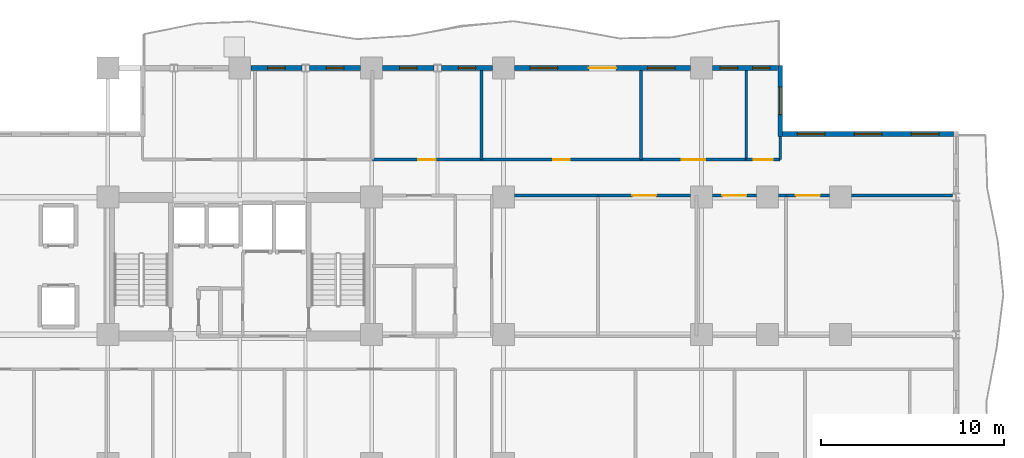
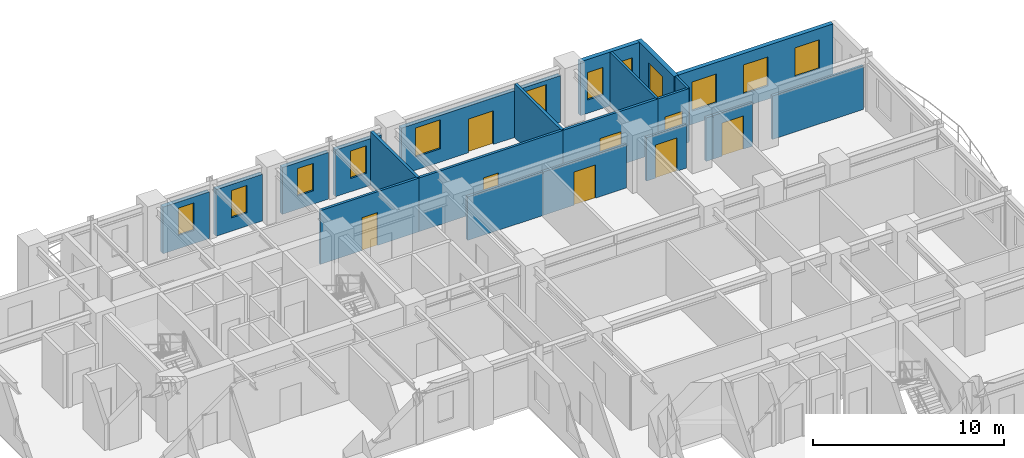
# One storey, part 7 of 11: 22 walls, 12 windows, 8 doors, 20 openings.
"""IFC4 building model written with IfcOpenShell, lengths in metres."""

from ifc_helpers import new_model, si_unit, direction, frame, frame_2d, origin, place, context, subcontext, project, spatial, rectangle, extrude, material, layer, layer_set, type_object, element, fill, save


model = new_model("IFC4")

# Units and contexts
model_context = context("Model", 3, precision=1e-05, world=origin(), true_north=direction((0.0, 1.0)))
body_context = subcontext(model_context, "Body", "Model", "MODEL_VIEW")
ifc_project = project(units=[si_unit("LENGTHUNIT", "METRE"), si_unit("AREAUNIT", "SQUARE_METRE"), si_unit("VOLUMEUNIT", "CUBIC_METRE"), si_unit("PLANEANGLEUNIT", "RADIAN"), si_unit("MASSUNIT", "GRAM", prefix="KILO")], contexts=[model_context])

# Site, building, storey
site_placement = place(None, origin())
site = spatial("IfcSite", under=ifc_project, at=site_placement, CompositionType="ELEMENT")
building_placement = place(site_placement, origin())
building = spatial("IfcBuilding", under=site, at=building_placement, Name="Kaliganga Portal Commons", CompositionType="ELEMENT")
storey_placement = place(building_placement, frame((0.0, 0.0, 115.60009765625)))
storey = spatial("IfcBuildingStorey", under=building, at=storey_placement, Name="L29", CompositionType="ELEMENT", Elevation=115.60009765625)

# Wall, openings, windows
ifc_material_1 = material(Name="Insulated Aluminium-Clad Spandrel Assembly", Category="aluminium")
ifc_layer_1 = layer(ifc_material_1, 0.260009765625)
ifc_layer_set_1 = layer_set([ifc_layer_1], Name="Insulated Aluminium-Clad Spandrel Assembly")
wall_type_1 = type_object("IfcWallType", Name="WL-EXT-SPAND-260", PredefinedType="STANDARD", material=ifc_layer_set_1)
wall_1_placement = place(storey_placement, frame((51.235107421875, 39.60009765625, 0.0), z_axis=(0.0, 0.0, 1.0), x_axis=(1.0, 0.0, 0.0)))
wall_1 = element("IfcWall", 1, at=wall_1_placement, inside=storey, type_object=wall_type_1, Name="Exterior Envelope Wall L29 P1-E04-S1", PredefinedType="STANDARD", context=body_context, shape_type="SweptSolid", body=[
    extrude(rectangle(XDim=9.329833984375, YDim=0.260009765625, at=frame_2d((4.6650390625, 0.0))), origin(), (0.0, 0.0, 1.0), 3.429931640625),
])
opening_1_placement = place(wall_1_placement, frame((0.804931640625, 0.0, 0.85009765625)))
opening_1 = element("IfcOpeningElement", 2, at=opening_1_placement, cuts=wall_1, Name="Opening W-02", PredefinedType="OPENING", context=body_context, shape_type="SweptSolid", body=[
    extrude(rectangle(XDim=1.5, YDim=1.85009765625, at=frame_2d((0.75, 0.925048828125))), frame((0.0, 0.14013671875, 0.0), z_axis=(0.0, -1.0, 0.0), x_axis=(1.0, 0.0, 0.0)), (0.0, 0.0, 1.0), 0.280029296875),
])
opening_2_placement = place(wall_1_placement, frame((3.9150390625, 0.0, 0.85009765625)))
opening_2 = element("IfcOpeningElement", 3, at=opening_2_placement, cuts=wall_1, Name="Opening W-02", PredefinedType="OPENING", context=body_context, shape_type="SweptSolid", body=[
    extrude(rectangle(XDim=1.5, YDim=1.85009765625, at=frame_2d((0.75, 0.925048828125))), frame((0.0, 0.14013671875, 0.0), z_axis=(0.0, -1.0, 0.0), x_axis=(1.0, 0.0, 0.0)), (0.0, 0.0, 1.0), 0.280029296875),
])
opening_3_placement = place(wall_1_placement, frame((7.02490234375, 0.0, 0.85009765625)))
opening_3 = element("IfcOpeningElement", 4, at=opening_3_placement, cuts=wall_1, Name="Opening W-02", PredefinedType="OPENING", context=body_context, shape_type="SweptSolid", body=[
    extrude(rectangle(XDim=1.5, YDim=1.85009765625, at=frame_2d((0.75, 0.925048828125))), frame((0.0, 0.14013671875, 0.0), z_axis=(0.0, -1.0, 0.0), x_axis=(1.0, 0.0, 0.0)), (0.0, 0.0, 1.0), 0.280029296875),
])
ifc_material_2 = material(Name="Thermally Broken Aluminium and Low-E Double Glazing", Category="aluminium")
window_type_1 = type_object("IfcWindowType", Name="WIN-STD-1500", PartitioningType="DOUBLE_PANEL_VERTICAL", PredefinedType="WINDOW", material=ifc_material_2)
window_1_placement = place(opening_1_placement, origin())
window_1 = element("IfcWindow", 5, at=window_1_placement, inside=storey, type_object=window_type_1, Name="Facade Window L29-P1E04S1-00", OverallHeight=1.85009765625, OverallWidth=1.5, PartitioningType="SINGLE_PANEL", PredefinedType="WINDOW", context=body_context, shape_type="SweptSolid", body=[
    extrude(rectangle(XDim=1.5, YDim=1.85009765625, at=frame_2d((0.75, 0.925048828125))), frame((0.0, 0.030029296875, 0.0), z_axis=(0.0, -1.0, 0.0), x_axis=(1.0, 0.0, 0.0)), (0.0, 0.0, 1.0), 0.06005859375),
])
fill(opening_1, window_1)
window_2_placement = place(opening_2_placement, origin())
window_2 = element("IfcWindow", 6, at=window_2_placement, inside=storey, type_object=window_type_1, Name="Facade Window L29-P1E04S1-01", OverallHeight=1.85009765625, OverallWidth=1.5, PartitioningType="SINGLE_PANEL", PredefinedType="WINDOW", context=body_context, shape_type="SweptSolid", body=[
    extrude(rectangle(XDim=1.5, YDim=1.85009765625, at=frame_2d((0.75, 0.925048828125))), frame((0.0, 0.030029296875, 0.0), z_axis=(0.0, -1.0, 0.0), x_axis=(1.0, 0.0, 0.0)), (0.0, 0.0, 1.0), 0.06005859375),
])
fill(opening_2, window_2)
window_3_placement = place(opening_3_placement, origin())
window_3 = element("IfcWindow", 7, at=window_3_placement, inside=storey, type_object=window_type_1, Name="Facade Window L29-P1E04S1-02", OverallHeight=1.85009765625, OverallWidth=1.5, PartitioningType="SINGLE_PANEL", PredefinedType="WINDOW", context=body_context, shape_type="SweptSolid", body=[
    extrude(rectangle(XDim=1.5, YDim=1.85009765625, at=frame_2d((0.75, 0.925048828125))), frame((0.0, 0.030029296875, 0.0), z_axis=(0.0, -1.0, 0.0), x_axis=(1.0, 0.0, 0.0)), (0.0, 0.0, 1.0), 0.06005859375),
])
fill(opening_3, window_3)

# Wall, opening, window
wall_2_placement = place(storey_placement, frame((51.10009765625, 43.330078125, 0.0), z_axis=(0.0, 0.0, 1.0), x_axis=(0.0, -1.0, 0.0)))
wall_2 = element("IfcWall", 8, at=wall_2_placement, inside=storey, type_object=wall_type_1, Name="Exterior Envelope Wall L29 P1-E05-S1", PredefinedType="STANDARD", context=body_context, shape_type="SweptSolid", body=[
    extrude(rectangle(XDim=3.860107421875, YDim=0.260009765625, at=frame_2d((1.93017578125, 0.0))), origin(), (0.0, 0.0, 1.0), 3.429931640625),
])
opening_4_placement = place(wall_2_placement, frame((1.179931640625, 0.0, 0.85009765625)))
opening_4 = element("IfcOpeningElement", 9, at=opening_4_placement, cuts=wall_2, Name="Opening W-02", PredefinedType="OPENING", context=body_context, shape_type="SweptSolid", body=[
    extrude(rectangle(XDim=1.5, YDim=1.85009765625, at=frame_2d((0.75, 0.925048828125))), frame((0.0, 0.14013671875, 0.0), z_axis=(0.0, -1.0, 0.0), x_axis=(1.0, 0.0, 0.0)), (0.0, 0.0, 1.0), 0.280029296875),
])
window_4_placement = place(opening_4_placement, origin())
window_4 = element("IfcWindow", 10, at=window_4_placement, inside=storey, type_object=window_type_1, Name="Facade Window L29-P1E05S1-00", OverallHeight=1.85009765625, OverallWidth=1.5, PartitioningType="SINGLE_PANEL", PredefinedType="WINDOW", context=body_context, shape_type="SweptSolid", body=[
    extrude(rectangle(XDim=1.5, YDim=1.85009765625, at=frame_2d((0.75, 0.925048828125))), frame((0.0, 0.030029296875, 0.0), z_axis=(0.0, -1.0, 0.0), x_axis=(1.0, 0.0, 0.0)), (0.0, 0.0, 1.0), 0.06005859375),
])
fill(opening_4, window_4)

# Wall, openings, windows
wall_3_placement = place(storey_placement, frame((47.40087890625, 43.199951171875, 0.0), z_axis=(0.0, 0.0, 1.0), x_axis=(1.0, 0.0, 0.0)))
wall_3 = element("IfcWall", 11, at=wall_3_placement, inside=storey, type_object=wall_type_1, Name="Exterior Envelope Wall L29 P1-E06-S1", PredefinedType="STANDARD", context=body_context, shape_type="SweptSolid", body=[
    extrude(rectangle(XDim=3.564208984375, YDim=0.260009765625, at=frame_2d((1.7822265625, 0.0))), origin(), (0.0, 0.0, 1.0), 3.429931640625),
])
opening_5_placement = place(wall_3_placement, frame((0.423095703125, 0.0, 0.85009765625)))
opening_5 = element("IfcOpeningElement", 12, at=opening_5_placement, cuts=wall_3, Name="Opening W-04", PredefinedType="OPENING", context=body_context, shape_type="SweptSolid", body=[
    extrude(rectangle(XDim=0.949951171875, YDim=1.75, at=frame_2d((0.47509765625, 0.875))), frame((0.0, 0.14013671875, 0.0), z_axis=(0.0, -1.0, 0.0), x_axis=(1.0, 0.0, 0.0)), (0.0, 0.0, 1.0), 0.280029296875),
])
opening_6_placement = place(wall_3_placement, frame((2.19091796875, 0.0, 0.85009765625)))
opening_6 = element("IfcOpeningElement", 13, at=opening_6_placement, cuts=wall_3, Name="Opening W-04", PredefinedType="OPENING", context=body_context, shape_type="SweptSolid", body=[
    extrude(rectangle(XDim=0.949951171875, YDim=1.75, at=frame_2d((0.47509765625, 0.875))), frame((0.0, 0.14013671875, 0.0), z_axis=(0.0, -1.0, 0.0), x_axis=(1.0, 0.0, 0.0)), (0.0, 0.0, 1.0), 0.280029296875),
])
window_type_2 = type_object("IfcWindowType", Name="WIN-NARROW-950", PartitioningType="SINGLE_PANEL", PredefinedType="WINDOW", material=ifc_material_2)
window_5_placement = place(opening_5_placement, origin())
window_5 = element("IfcWindow", 14, at=window_5_placement, inside=storey, type_object=window_type_2, Name="Facade Window L29-P1E06S1-N1", OverallHeight=1.75, OverallWidth=0.949951171875, PartitioningType="SINGLE_PANEL", PredefinedType="WINDOW", context=body_context, shape_type="SweptSolid", body=[
    extrude(rectangle(XDim=0.949951171875, YDim=1.75, at=frame_2d((0.47509765625, 0.875))), frame((0.0, 0.030029296875, 0.0), z_axis=(0.0, -1.0, 0.0), x_axis=(1.0, 0.0, 0.0)), (0.0, 0.0, 1.0), 0.06005859375),
])
fill(opening_5, window_5)
window_6_placement = place(opening_6_placement, origin())
window_6 = element("IfcWindow", 15, at=window_6_placement, inside=storey, type_object=window_type_2, Name="Facade Window L29-P1E06S1-N2", OverallHeight=1.75, OverallWidth=0.949951171875, PartitioningType="SINGLE_PANEL", PredefinedType="WINDOW", context=body_context, shape_type="SweptSolid", body=[
    extrude(rectangle(XDim=0.949951171875, YDim=1.75, at=frame_2d((0.47509765625, 0.875))), frame((0.0, 0.030029296875, 0.0), z_axis=(0.0, -1.0, 0.0), x_axis=(1.0, 0.0, 0.0)), (0.0, 0.0, 1.0), 0.06005859375),
])
fill(opening_6, window_6)

# Wall, openings, door, windows
wall_4_placement = place(storey_placement, frame((36.60107421875, 43.199951171875, 0.0), z_axis=(0.0, 0.0, 1.0), x_axis=(1.0, 0.0, 0.0)))
wall_4 = element("IfcWall", 16, at=wall_4_placement, inside=storey, type_object=wall_type_1, Name="Exterior Envelope Wall L29 P1-E06-S2", PredefinedType="STANDARD", context=body_context, shape_type="SweptSolid", body=[
    extrude(rectangle(XDim=9.597900390625, YDim=0.260009765625, at=frame_2d((4.798828125, 0.0))), origin(), (0.0, 0.0, 1.0), 2.97998046875),
])
opening_7_placement = place(wall_4_placement, frame((4.049072265625, 0.0, 0.0)))
opening_7 = element("IfcOpeningElement", 17, at=opening_7_placement, cuts=wall_4, Name="Opening BD-01", PredefinedType="OPENING", context=body_context, shape_type="SweptSolid", body=[
    extrude(rectangle(XDim=1.5, YDim=2.14990234375, at=frame_2d((0.75, 1.074951171875))), frame((0.0, 0.14013671875, 0.0), z_axis=(0.0, -1.0, 0.0), x_axis=(1.0, 0.0, 0.0)), (0.0, 0.0, 1.0), 0.280029296875),
])
opening_8_placement = place(wall_4_placement, frame((0.849609375, 0.0, 0.85009765625)))
opening_8 = element("IfcOpeningElement", 18, at=opening_8_placement, cuts=wall_4, Name="Opening W-02", PredefinedType="OPENING", context=body_context, shape_type="SweptSolid", body=[
    extrude(rectangle(XDim=1.5, YDim=1.85009765625, at=frame_2d((0.75, 0.925048828125))), frame((0.0, 0.14013671875, 0.0), z_axis=(0.0, -1.0, 0.0), x_axis=(1.0, 0.0, 0.0)), (0.0, 0.0, 1.0), 0.280029296875),
])
opening_9_placement = place(wall_4_placement, frame((7.248291015625, 0.0, 0.85009765625)))
opening_9 = element("IfcOpeningElement", 19, at=opening_9_placement, cuts=wall_4, Name="Opening W-02", PredefinedType="OPENING", context=body_context, shape_type="SweptSolid", body=[
    extrude(rectangle(XDim=1.5, YDim=1.85009765625, at=frame_2d((0.75, 0.925048828125))), frame((0.0, 0.14013671875, 0.0), z_axis=(0.0, -1.0, 0.0), x_axis=(1.0, 0.0, 0.0)), (0.0, 0.0, 1.0), 0.280029296875),
])
ifc_material_3 = material(Name="Anodized Aluminium and Laminated Safety Glass", Category="aluminium")
door_type_1 = type_object("IfcDoorType", Name="DR-BALC-1500", OperationType="SLIDING_TO_LEFT", PredefinedType="DOOR", material=ifc_material_3)
door_1_placement = place(opening_7_placement, origin())
door_1 = element("IfcDoor", 20, at=door_1_placement, inside=storey, type_object=door_type_1, Name="Balcony Sliding Door L29 balc_north", OperationType="SLIDING_TO_LEFT", OverallHeight=2.14990234375, OverallWidth=1.5, PredefinedType="DOOR", context=body_context, shape_type="SweptSolid", body=[
    extrude(rectangle(XDim=1.5, YDim=2.14990234375, at=frame_2d((0.75, 1.074951171875))), frame((0.0, 0.02490234375, 0.0), z_axis=(0.0, -1.0, 0.0), x_axis=(1.0, 0.0, 0.0)), (0.0, 0.0, 1.0), 0.050048828125),
])
fill(opening_7, door_1)
window_7_placement = place(opening_8_placement, origin())
window_7 = element("IfcWindow", 21, at=window_7_placement, inside=storey, type_object=window_type_1, Name="Facade Window L29-P1E06S2-00", OverallHeight=1.85009765625, OverallWidth=1.5, PartitioningType="SINGLE_PANEL", PredefinedType="WINDOW", context=body_context, shape_type="SweptSolid", body=[
    extrude(rectangle(XDim=1.5, YDim=1.85009765625, at=frame_2d((0.75, 0.925048828125))), frame((0.0, 0.030029296875, 0.0), z_axis=(0.0, -1.0, 0.0), x_axis=(1.0, 0.0, 0.0)), (0.0, 0.0, 1.0), 0.06005859375),
])
fill(opening_8, window_7)
window_8_placement = place(opening_9_placement, origin())
window_8 = element("IfcWindow", 22, at=window_8_placement, inside=storey, type_object=window_type_1, Name="Facade Window L29-P1E06S2-02", OverallHeight=1.85009765625, OverallWidth=1.5, PartitioningType="SINGLE_PANEL", PredefinedType="WINDOW", context=body_context, shape_type="SweptSolid", body=[
    extrude(rectangle(XDim=1.5, YDim=1.85009765625, at=frame_2d((0.75, 0.925048828125))), frame((0.0, 0.030029296875, 0.0), z_axis=(0.0, -1.0, 0.0), x_axis=(1.0, 0.0, 0.0)), (0.0, 0.0, 1.0), 0.06005859375),
])
fill(opening_9, window_8)

# Wall, opening, window
wall_5_placement = place(storey_placement, frame((32.60546875, 43.199951171875, 0.0), z_axis=(0.0, 0.0, 1.0), x_axis=(1.0, 0.0, 0.0)))
wall_5 = element("IfcWall", 23, at=wall_5_placement, inside=storey, type_object=wall_type_1, Name="Exterior Envelope Wall L29 P1-E06-S3", PredefinedType="STANDARD", context=body_context, shape_type="SweptSolid", body=[
    extrude(rectangle(XDim=2.79345703125, YDim=0.260009765625, at=frame_2d((1.396728515625, 0.0))), origin(), (0.0, 0.0, 1.0), 2.97998046875),
])
opening_10_placement = place(wall_5_placement, frame((0.921875, 0.0, 0.85009765625)))
opening_10 = element("IfcOpeningElement", 24, at=opening_10_placement, cuts=wall_5, Name="Opening W-04", PredefinedType="OPENING", context=body_context, shape_type="SweptSolid", body=[
    extrude(rectangle(XDim=0.949951171875, YDim=1.75, at=frame_2d((0.47509765625, 0.875))), frame((0.0, 0.14013671875, 0.0), z_axis=(0.0, -1.0, 0.0), x_axis=(1.0, 0.0, 0.0)), (0.0, 0.0, 1.0), 0.280029296875),
])
window_9_placement = place(opening_10_placement, origin())
window_9 = element("IfcWindow", 25, at=window_9_placement, inside=storey, type_object=window_type_2, Name="Facade Window L29-P1E06S3-00", OverallHeight=1.75, OverallWidth=0.949951171875, PartitioningType="SINGLE_PANEL", PredefinedType="WINDOW", context=body_context, shape_type="SweptSolid", body=[
    extrude(rectangle(XDim=0.949951171875, YDim=1.75, at=frame_2d((0.47509765625, 0.875))), frame((0.0, 0.030029296875, 0.0), z_axis=(0.0, -1.0, 0.0), x_axis=(1.0, 0.0, 0.0)), (0.0, 0.0, 1.0), 0.06005859375),
])
fill(opening_10, window_9)

wall_6_placement = place(storey_placement, frame((29.40087890625, 43.199951171875, 0.0), z_axis=(0.0, 0.0, 1.0), x_axis=(1.0, 0.0, 0.0)))
wall_6 = element("IfcWall", 26, at=wall_6_placement, inside=storey, type_object=wall_type_1, Name="Exterior Envelope Wall L29 P1-E06-S4", PredefinedType="STANDARD", context=body_context, shape_type="SweptSolid", body=[
    extrude(rectangle(XDim=2.793701171875, YDim=0.260009765625, at=frame_2d((1.39697265625, 0.0))), origin(), (0.0, 0.0, 1.0), 2.97998046875),
])
opening_11_placement = place(wall_6_placement, frame((0.921630859375, 0.0, 0.85009765625)))
opening_11 = element("IfcOpeningElement", 27, at=opening_11_placement, cuts=wall_6, Name="Opening W-04", PredefinedType="OPENING", context=body_context, shape_type="SweptSolid", body=[
    extrude(rectangle(XDim=0.949951171875, YDim=1.75, at=frame_2d((0.47509765625, 0.875))), frame((0.0, 0.14013671875, 0.0), z_axis=(0.0, -1.0, 0.0), x_axis=(1.0, 0.0, 0.0)), (0.0, 0.0, 1.0), 0.280029296875),
])
window_10_placement = place(opening_11_placement, origin())
window_10 = element("IfcWindow", 28, at=window_10_placement, inside=storey, type_object=window_type_2, Name="Facade Window L29-P1E06S4-00", OverallHeight=1.75, OverallWidth=0.949951171875, PartitioningType="SINGLE_PANEL", PredefinedType="WINDOW", context=body_context, shape_type="SweptSolid", body=[
    extrude(rectangle(XDim=0.949951171875, YDim=1.75, at=frame_2d((0.47509765625, 0.875))), frame((0.0, 0.030029296875, 0.0), z_axis=(0.0, -1.0, 0.0), x_axis=(1.0, 0.0, 0.0)), (0.0, 0.0, 1.0), 0.06005859375),
])
fill(opening_11, window_10)

wall_7_placement = place(storey_placement, frame((25.405517578125, 43.199951171875, 0.0), z_axis=(0.0, 0.0, 1.0), x_axis=(1.0, 0.0, 0.0)))
wall_7 = element("IfcWall", 29, at=wall_7_placement, inside=storey, type_object=wall_type_1, Name="Exterior Envelope Wall L29 P1-E06-S5", PredefinedType="STANDARD", context=body_context, shape_type="SweptSolid", body=[
    extrude(rectangle(XDim=2.79345703125, YDim=0.260009765625, at=frame_2d((1.396728515625, 0.0))), origin(), (0.0, 0.0, 1.0), 2.97998046875),
])
opening_12_placement = place(wall_7_placement, frame((0.921875, 0.0, 0.85009765625)))
opening_12 = element("IfcOpeningElement", 30, at=opening_12_placement, cuts=wall_7, Name="Opening W-04", PredefinedType="OPENING", context=body_context, shape_type="SweptSolid", body=[
    extrude(rectangle(XDim=0.949951171875, YDim=1.75, at=frame_2d((0.47509765625, 0.875))), frame((0.0, 0.14013671875, 0.0), z_axis=(0.0, -1.0, 0.0), x_axis=(1.0, 0.0, 0.0)), (0.0, 0.0, 1.0), 0.280029296875),
])
window_11_placement = place(opening_12_placement, origin())
window_11 = element("IfcWindow", 31, at=window_11_placement, inside=storey, type_object=window_type_2, Name="Facade Window L29-P1E06S5-00", OverallHeight=1.75, OverallWidth=0.949951171875, PartitioningType="SINGLE_PANEL", PredefinedType="WINDOW", context=body_context, shape_type="SweptSolid", body=[
    extrude(rectangle(XDim=0.949951171875, YDim=1.75, at=frame_2d((0.47509765625, 0.875))), frame((0.0, 0.030029296875, 0.0), z_axis=(0.0, -1.0, 0.0), x_axis=(1.0, 0.0, 0.0)), (0.0, 0.0, 1.0), 0.06005859375),
])
fill(opening_12, window_11)

wall_8_placement = place(storey_placement, frame((22.200927734375, 43.199951171875, 0.0), z_axis=(0.0, 0.0, 1.0), x_axis=(1.0, 0.0, 0.0)))
wall_8 = element("IfcWall", 32, at=wall_8_placement, inside=storey, type_object=wall_type_1, Name="Exterior Envelope Wall L29 P1-E06-S6", PredefinedType="STANDARD", context=body_context, shape_type="SweptSolid", body=[
    extrude(rectangle(XDim=2.79345703125, YDim=0.260009765625, at=frame_2d((1.396728515625, 0.0))), origin(), (0.0, 0.0, 1.0), 2.97998046875),
])
opening_13_placement = place(wall_8_placement, frame((0.921630859375, 0.0, 0.85009765625)))
opening_13 = element("IfcOpeningElement", 33, at=opening_13_placement, cuts=wall_8, Name="Opening W-04", PredefinedType="OPENING", context=body_context, shape_type="SweptSolid", body=[
    extrude(rectangle(XDim=0.949951171875, YDim=1.75, at=frame_2d((0.47509765625, 0.875))), frame((0.0, 0.14013671875, 0.0), z_axis=(0.0, -1.0, 0.0), x_axis=(1.0, 0.0, 0.0)), (0.0, 0.0, 1.0), 0.280029296875),
])
window_12_placement = place(opening_13_placement, origin())
window_12 = element("IfcWindow", 34, at=window_12_placement, inside=storey, type_object=window_type_2, Name="Facade Window L29-P1E06S6-00", OverallHeight=1.75, OverallWidth=0.949951171875, PartitioningType="SINGLE_PANEL", PredefinedType="WINDOW", context=body_context, shape_type="SweptSolid", body=[
    extrude(rectangle(XDim=0.949951171875, YDim=1.75, at=frame_2d((0.47509765625, 0.875))), frame((0.0, 0.030029296875, 0.0), z_axis=(0.0, -1.0, 0.0), x_axis=(1.0, 0.0, 0.0)), (0.0, 0.0, 1.0), 0.06005859375),
])
fill(opening_13, window_12)

# Wall, opening, door
ifc_material_4 = material(Name="Fire-Rated Gypsum Board on Steel Stud", Category="steel")
ifc_layer_2 = layer(ifc_material_4, 0.14990234375)
ifc_layer_set_2 = layer_set([ifc_layer_2], Name="Fire-Rated Gypsum Board on Steel Stud")
wall_type_2 = type_object("IfcWallType", Name="WL-PART-CORR-150", PredefinedType="PARTITIONING", material=ifc_layer_set_2)
wall_9_placement = place(storey_placement, frame((51.419921875, 36.239990234375, 0.0), z_axis=(0.0, 0.0, 1.0), x_axis=(1.0, 0.0, 0.0)))
wall_9 = element("IfcWall", 35, at=wall_9_placement, inside=storey, type_object=wall_type_2, Name="Interior Partition L29-006", PredefinedType="PARTITIONING", context=body_context, shape_type="SweptSolid", body=[
    extrude(rectangle(XDim=2.380126953125, YDim=0.14990234375, at=frame_2d((1.18994140625, 0.0))), origin(), (0.0, 0.0, 1.0), 2.77978515625),
])
opening_14_placement = place(wall_9_placement, frame((0.5400390625, 0.0, 0.0)))
opening_14 = element("IfcOpeningElement", 36, at=opening_14_placement, cuts=wall_9, Name="Opening RD-03", PredefinedType="OPENING", context=body_context, shape_type="SweptSolid", body=[
    extrude(rectangle(XDim=1.300048828125, YDim=2.1201171875, at=frame_2d((0.64990234375, 1.06005859375))), frame((0.0, 0.0849609375, 0.0), z_axis=(0.0, -1.0, 0.0), x_axis=(1.0, 0.0, 0.0)), (0.0, 0.0, 1.0), 0.169921875),
])
ifc_material_5 = material(Name="Glazed Timber Seminar Vision Door", Category="wood")
door_type_2 = type_object("IfcDoorType", Name="DR-STUDY-1300", OperationType="DOUBLE_DOOR_SINGLE_SWING", PredefinedType="DOOR", material=ifc_material_5)
door_2_placement = place(opening_14_placement, origin())
door_2 = element("IfcDoor", 37, at=door_2_placement, inside=storey, type_object=door_type_2, Name="Interior Door L29-BK04", OperationType="DOUBLE_DOOR_SINGLE_SWING", OverallHeight=2.1201171875, OverallWidth=1.300048828125, PredefinedType="DOOR", context=body_context, shape_type="SweptSolid", body=[
    extrude(rectangle(XDim=1.300048828125, YDim=2.1201171875, at=frame_2d((0.64990234375, 1.06005859375))), frame((0.0, 0.02490234375, 0.0), z_axis=(0.0, -1.0, 0.0), x_axis=(1.0, 0.0, 0.0)), (0.0, 0.0, 1.0), 0.050048828125),
])
fill(opening_14, door_2)

# Wall
wall_10_placement = place(storey_placement, frame((55.0, 36.239990234375, 0.0), z_axis=(0.0, 0.0, 1.0), x_axis=(1.0, 0.0, 0.0)))
element("IfcWall", 38, at=wall_10_placement, inside=storey, type_object=wall_type_2, Name="Interior Partition L29-007", PredefinedType="PARTITIONING", context=body_context, shape_type="SweptSolid", body=[
    extrude(rectangle(XDim=5.49560546875, YDim=0.14990234375, at=frame_2d((2.747802734375, 0.0))), origin(), (0.0, 0.0, 1.0), 2.77978515625),
])

# Wall, opening, door
wall_11_placement = place(storey_placement, frame((34.800048828125, 38.199951171875, 0.0), z_axis=(0.0, 0.0, 1.0), x_axis=(1.0, 0.0, 0.0)))
wall_11 = element("IfcWall", 39, at=wall_11_placement, inside=storey, type_object=wall_type_2, Name="Interior Partition L29-008", PredefinedType="PARTITIONING", context=body_context, shape_type="SweptSolid", body=[
    extrude(rectangle(XDim=8.699951171875, YDim=0.14990234375, at=frame_2d((4.35009765625, 0.0))), origin(), (0.0, 0.0, 1.0), 3.429931640625),
])
opening_15_placement = place(wall_11_placement, frame((3.89990234375, 0.0, 0.0)))
opening_15 = element("IfcOpeningElement", 40, at=opening_15_placement, cuts=wall_11, Name="Opening RD-01", PredefinedType="OPENING", context=body_context, shape_type="SweptSolid", body=[
    extrude(rectangle(XDim=0.89990234375, YDim=2.080078125, at=frame_2d((0.449951171875, 1.0400390625))), frame((0.0, 0.0849609375, 0.0), z_axis=(0.0, -1.0, 0.0), x_axis=(1.0, 0.0, 0.0)), (0.0, 0.0, 1.0), 0.169921875),
])
ifc_material_6 = material(Name="Engineered Timber Flush Door", Category="wood")
door_type_3 = type_object("IfcDoorType", Name="DR-ROOM-900", OperationType="NOTDEFINED", PredefinedType="DOOR", material=ifc_material_6)
door_3_placement = place(opening_15_placement, origin())
door_3 = element("IfcDoor", 41, at=door_3_placement, inside=storey, type_object=door_type_3, Name="Interior Door L29-AN04", OperationType="SINGLE_SWING_LEFT", OverallHeight=2.080078125, OverallWidth=0.89990234375, PredefinedType="DOOR", context=body_context, shape_type="SweptSolid", body=[
    extrude(rectangle(XDim=0.89990234375, YDim=2.080078125, at=frame_2d((0.449951171875, 1.0400390625))), frame((0.0, 0.02490234375, 0.0), z_axis=(0.0, -1.0, 0.0), x_axis=(1.0, 0.0, 0.0)), (0.0, 0.0, 1.0), 0.050048828125),
])
fill(opening_15, door_3)

wall_12_placement = place(storey_placement, frame((28.840087890625, 38.199951171875, 0.0), z_axis=(0.0, 0.0, 1.0), x_axis=(1.0, 0.0, 0.0)))
wall_12 = element("IfcWall", 42, at=wall_12_placement, inside=storey, type_object=wall_type_2, Name="Interior Partition L29-016", PredefinedType="PARTITIONING", context=body_context, shape_type="SweptSolid", body=[
    extrude(rectangle(XDim=5.9599609375, YDim=0.14990234375, at=frame_2d((2.97998046875, 0.0))), origin(), (0.0, 0.0, 1.0), 3.429931640625),
])
opening_16_placement = place(wall_12_placement, frame((2.5048828125, 0.0, 0.0)))
opening_16 = element("IfcOpeningElement", 43, at=opening_16_placement, cuts=wall_12, Name="Opening UD-01", PredefinedType="OPENING", context=body_context, shape_type="SweptSolid", body=[
    extrude(rectangle(XDim=0.949951171875, YDim=2.10009765625, at=frame_2d((0.47509765625, 1.050048828125))), frame((0.0, 0.0849609375, 0.0), z_axis=(0.0, -1.0, 0.0), x_axis=(1.0, 0.0, 0.0)), (0.0, 0.0, 1.0), 0.169921875),
])
ifc_material_7 = material(Name="Solid-Core Timber Acoustic Fire Door", Category="wood")
door_type_4 = type_object("IfcDoorType", Name="DR-UNIT-950", OperationType="NOTDEFINED", PredefinedType="DOOR", material=ifc_material_7)
door_4_placement = place(opening_16_placement, origin())
door_4 = element("IfcDoor", 44, at=door_4_placement, inside=storey, type_object=door_type_4, Name="Interior Door L29-AN03", OperationType="SINGLE_SWING_RIGHT", OverallHeight=2.10009765625, OverallWidth=0.949951171875, PredefinedType="DOOR", context=body_context, shape_type="SweptSolid", body=[
    extrude(rectangle(XDim=0.949951171875, YDim=2.10009765625, at=frame_2d((0.47509765625, 1.050048828125))), frame((0.0, 0.02490234375, 0.0), z_axis=(0.0, -1.0, 0.0), x_axis=(1.0, 0.0, 0.0)), (0.0, 0.0, 1.0), 0.050048828125),
])
fill(opening_16, door_4)

# Wall
wall_13_placement = place(storey_placement, frame((36.60009765625, 36.239990234375, 0.0), z_axis=(0.0, 0.0, 1.0), x_axis=(1.0, 0.0, 0.0)))
element("IfcWall", 45, at=wall_13_placement, inside=storey, type_object=wall_type_2, Name="Interior Partition L29-017", PredefinedType="PARTITIONING", context=body_context, shape_type="SweptSolid", body=[
    extrude(rectangle(XDim=4.559814453125, YDim=0.14990234375, at=frame_2d((2.27978515625, 0.0))), origin(), (0.0, 0.0, 1.0), 2.77978515625),
])

# Wall, opening, door
wall_14_placement = place(storey_placement, frame((43.5, 38.199951171875, 0.0), z_axis=(0.0, 0.0, 1.0), x_axis=(1.0, 0.0, 0.0)))
wall_14 = element("IfcWall", 46, at=wall_14_placement, inside=storey, type_object=wall_type_2, Name="Interior Partition L29-018", PredefinedType="PARTITIONING", context=body_context, shape_type="SweptSolid", body=[
    extrude(rectangle(XDim=5.739990234375, YDim=0.14990234375, at=frame_2d((2.8701171875, 0.0))), origin(), (0.0, 0.0, 1.0), 3.429931640625),
])
opening_17_placement = place(wall_14_placement, frame((2.219970703125, 0.0, 0.0)))
opening_17 = element("IfcOpeningElement", 47, at=opening_17_placement, cuts=wall_14, Name="Opening RD-03", PredefinedType="OPENING", context=body_context, shape_type="SweptSolid", body=[
    extrude(rectangle(XDim=1.300048828125, YDim=2.1201171875, at=frame_2d((0.64990234375, 1.06005859375))), frame((0.0, 0.0849609375, 0.0), z_axis=(0.0, -1.0, 0.0), x_axis=(1.0, 0.0, 0.0)), (0.0, 0.0, 1.0), 0.169921875),
])
door_5_placement = place(opening_17_placement, origin())
door_5 = element("IfcDoor", 48, at=door_5_placement, inside=storey, type_object=door_type_2, Name="Interior Door L29-AN05", OperationType="DOUBLE_DOOR_SINGLE_SWING", OverallHeight=2.1201171875, OverallWidth=1.300048828125, PredefinedType="DOOR", context=body_context, shape_type="SweptSolid", body=[
    extrude(rectangle(XDim=1.300048828125, YDim=2.1201171875, at=frame_2d((0.64990234375, 1.06005859375))), frame((0.0, 0.02490234375, 0.0), z_axis=(0.0, -1.0, 0.0), x_axis=(1.0, 0.0, 0.0)), (0.0, 0.0, 1.0), 0.050048828125),
])
fill(opening_17, door_5)

wall_15_placement = place(storey_placement, frame((41.159912109375, 36.239990234375, 0.0), z_axis=(0.0, 0.0, 1.0), x_axis=(1.0, 0.0, 0.0)))
wall_15 = element("IfcWall", 49, at=wall_15_placement, inside=storey, type_object=wall_type_2, Name="Interior Partition L29-021", PredefinedType="PARTITIONING", context=body_context, shape_type="SweptSolid", body=[
    extrude(rectangle(XDim=5.0400390625, YDim=0.14990234375, at=frame_2d((2.52001953125, 0.0))), origin(), (0.0, 0.0, 1.0), 2.77978515625),
])
opening_18_placement = place(wall_15_placement, frame((1.8701171875, 0.0, 0.0)))
opening_18 = element("IfcOpeningElement", 50, at=opening_18_placement, cuts=wall_15, Name="Opening RD-03", PredefinedType="OPENING", context=body_context, shape_type="SweptSolid", body=[
    extrude(rectangle(XDim=1.300048828125, YDim=2.1201171875, at=frame_2d((0.64990234375, 1.06005859375))), frame((0.0, 0.0849609375, 0.0), z_axis=(0.0, -1.0, 0.0), x_axis=(1.0, 0.0, 0.0)), (0.0, 0.0, 1.0), 0.169921875),
])
door_6_placement = place(opening_18_placement, origin())
door_6 = element("IfcDoor", 51, at=door_6_placement, inside=storey, type_object=door_type_2, Name="Interior Door L29-BK02", OperationType="DOUBLE_DOOR_SINGLE_SWING", OverallHeight=2.1201171875, OverallWidth=1.300048828125, PredefinedType="DOOR", context=body_context, shape_type="SweptSolid", body=[
    extrude(rectangle(XDim=1.300048828125, YDim=2.1201171875, at=frame_2d((0.64990234375, 1.06005859375))), frame((0.0, 0.02490234375, 0.0), z_axis=(0.0, -1.0, 0.0), x_axis=(1.0, 0.0, 0.0)), (0.0, 0.0, 1.0), 0.050048828125),
])
fill(opening_18, door_6)

wall_16_placement = place(storey_placement, frame((47.39990234375, 36.239990234375, 0.0), z_axis=(0.0, 0.0, 1.0), x_axis=(1.0, 0.0, 0.0)))
wall_16 = element("IfcWall", 52, at=wall_16_placement, inside=storey, type_object=wall_type_2, Name="Interior Partition L29-023", PredefinedType="PARTITIONING", context=body_context, shape_type="SweptSolid", body=[
    extrude(rectangle(XDim=2.400146484375, YDim=0.14990234375, at=frame_2d((1.2001953125, 0.0))), origin(), (0.0, 0.0, 1.0), 2.77978515625),
])
opening_19_placement = place(wall_16_placement, frame((0.550048828125, 0.0, 0.0)))
opening_19 = element("IfcOpeningElement", 53, at=opening_19_placement, cuts=wall_16, Name="Opening RD-03", PredefinedType="OPENING", context=body_context, shape_type="SweptSolid", body=[
    extrude(rectangle(XDim=1.300048828125, YDim=2.1201171875, at=frame_2d((0.64990234375, 1.06005859375))), frame((0.0, 0.0849609375, 0.0), z_axis=(0.0, -1.0, 0.0), x_axis=(1.0, 0.0, 0.0)), (0.0, 0.0, 1.0), 0.169921875),
])
door_7_placement = place(opening_19_placement, origin())
door_7 = element("IfcDoor", 54, at=door_7_placement, inside=storey, type_object=door_type_2, Name="Interior Door L29-BK03", OperationType="DOUBLE_DOOR_SINGLE_SWING", OverallHeight=2.1201171875, OverallWidth=1.300048828125, PredefinedType="DOOR", context=body_context, shape_type="SweptSolid", body=[
    extrude(rectangle(XDim=1.300048828125, YDim=2.1201171875, at=frame_2d((0.64990234375, 1.06005859375))), frame((0.0, 0.02490234375, 0.0), z_axis=(0.0, -1.0, 0.0), x_axis=(1.0, 0.0, 0.0)), (0.0, 0.0, 1.0), 0.050048828125),
])
fill(opening_19, door_7)

# Wall
wall_17_placement = place(storey_placement, frame((51.0, 36.239990234375, 0.0), z_axis=(0.0, 0.0, 1.0), x_axis=(1.0, 0.0, 0.0)))
element("IfcWall", 55, at=wall_17_placement, inside=storey, type_object=wall_type_2, Name="Interior Partition L29-024", PredefinedType="PARTITIONING", context=body_context, shape_type="SweptSolid", body=[
    extrude(rectangle(XDim=0.419921875, YDim=0.14990234375, at=frame_2d((0.2099609375, 0.0))), origin(), (0.0, 0.0, 1.0), 2.77978515625),
])

# Wall, opening, door
wall_18_placement = place(storey_placement, frame((49.239990234375, 38.199951171875, 0.0), z_axis=(0.0, 0.0, 1.0), x_axis=(1.0, 0.0, 0.0)))
wall_18 = element("IfcWall", 56, at=wall_18_placement, inside=storey, type_object=wall_type_2, Name="Interior Partition L29-037", PredefinedType="PARTITIONING", context=body_context, shape_type="SweptSolid", body=[
    extrude(rectangle(XDim=1.860107421875, YDim=0.14990234375, at=frame_2d((0.93017578125, 0.0))), origin(), (0.0, 0.0, 1.0), 3.429931640625),
])
opening_20_placement = place(wall_18_placement, frame((0.405029296875, 0.0, 0.0)))
opening_20 = element("IfcOpeningElement", 57, at=opening_20_placement, cuts=wall_18, Name="Opening UD-02", PredefinedType="OPENING", context=body_context, shape_type="SweptSolid", body=[
    extrude(rectangle(XDim=1.050048828125, YDim=2.1201171875, at=frame_2d((0.52490234375, 1.06005859375))), frame((0.0, 0.0849609375, 0.0), z_axis=(0.0, -1.0, 0.0), x_axis=(1.0, 0.0, 0.0)), (0.0, 0.0, 1.0), 0.169921875),
])
ifc_material_8 = material(Name="Accessible Wide-Leaf Acoustic Fire Door", Category="wood")
door_type_5 = type_object("IfcDoorType", Name="DR-ACC-1050", OperationType="NOTDEFINED", PredefinedType="DOOR", material=ifc_material_8)
door_8_placement = place(opening_20_placement, origin())
door_8 = element("IfcDoor", 58, at=door_8_placement, inside=storey, type_object=door_type_5, Name="Interior Door L29-AN06", OperationType="SINGLE_SWING_RIGHT", OverallHeight=2.1201171875, OverallWidth=1.050048828125, PredefinedType="DOOR", context=body_context, shape_type="SweptSolid", body=[
    extrude(rectangle(XDim=1.050048828125, YDim=2.1201171875, at=frame_2d((0.52490234375, 1.06005859375))), frame((0.0, 0.02490234375, 0.0), z_axis=(0.0, -1.0, 0.0), x_axis=(1.0, 0.0, 0.0)), (0.0, 0.0, 1.0), 0.050048828125),
])
fill(opening_20, door_8)

# Walls
ifc_material_9 = material(Name="Twin-Stud Acoustic Gypsum Partition", Category="gypsum")
ifc_layer_3 = layer(ifc_material_9, 0.1650390625)
ifc_layer_set_3 = layer_set([ifc_layer_3], Name="Twin-Stud Acoustic Gypsum Partition")
wall_type_3 = type_object("IfcWallType", Name="WL-PART-UNIT-165", PredefinedType="PARTITIONING", material=ifc_layer_set_3)
for number, where, z_axis, x_axis, name in (
    (59, (34.800048828125, 38.199951171875, 0.0), (0.0, 0.0, 1.0), (0.0, 1.0, 0.0), "Interior Partition L29-064"),
    (60, (43.5, 38.199951171875, 0.0), (0.0, 0.0, 1.0), (0.0, 1.0, 0.0), "Interior Partition L29-065"),
):
    element("IfcWall", number, at=place(storey_placement, frame(where, z_axis=z_axis, x_axis=x_axis)), inside=storey, type_object=wall_type_3, Name=name, PredefinedType="PARTITIONING", context=body_context, shape_type="SweptSolid", body=[
        extrude(rectangle(XDim=4.8681640625, YDim=0.1650390625, at=frame_2d((2.43408203125, 0.0))), origin(), (0.0, 0.0, 1.0), 3.429931640625),
    ])
ifc_material_10 = material(Name="Cement-Board Wet-Room Partition", Category="gypsum")
ifc_layer_4 = layer(ifc_material_10, 0.135009765625)
ifc_layer_set_4 = layer_set([ifc_layer_4], Name="Cement-Board Wet-Room Partition")
wall_type_4 = type_object("IfcWallType", Name="WL-PART-WET-135", PredefinedType="PARTITIONING", material=ifc_layer_set_4)
wall_19_placement = place(storey_placement, frame((49.239990234375, 38.199951171875, 0.0), z_axis=(0.0, 0.0, 1.0), x_axis=(0.0, 1.0, 0.0)))
element("IfcWall", 61, at=wall_19_placement, inside=storey, type_object=wall_type_4, Name="Interior Partition L29-066", PredefinedType="PARTITIONING", context=body_context, shape_type="SweptSolid", body=[
    extrude(rectangle(XDim=4.8681640625, YDim=0.135009765625, at=frame_2d((2.43408203125, 0.0))), origin(), (0.0, 0.0, 1.0), 3.429931640625),
])
wall_20_placement = place(storey_placement, frame((51.10009765625, 38.199951171875, 0.0), z_axis=(0.0, 0.0, 1.0), x_axis=(0.0, 1.0, 0.0)))
element("IfcWall", 62, at=wall_20_placement, inside=storey, type_object=wall_type_4, Name="Interior Partition L29-067", PredefinedType="PARTITIONING", context=body_context, shape_type="SweptSolid", body=[
    extrude(rectangle(XDim=1.26806640625, YDim=0.135009765625, at=frame_2d((0.634033203125, 0.0))), origin(), (0.0, 0.0, 1.0), 3.429931640625),
])

save(model, "model.ifc")
